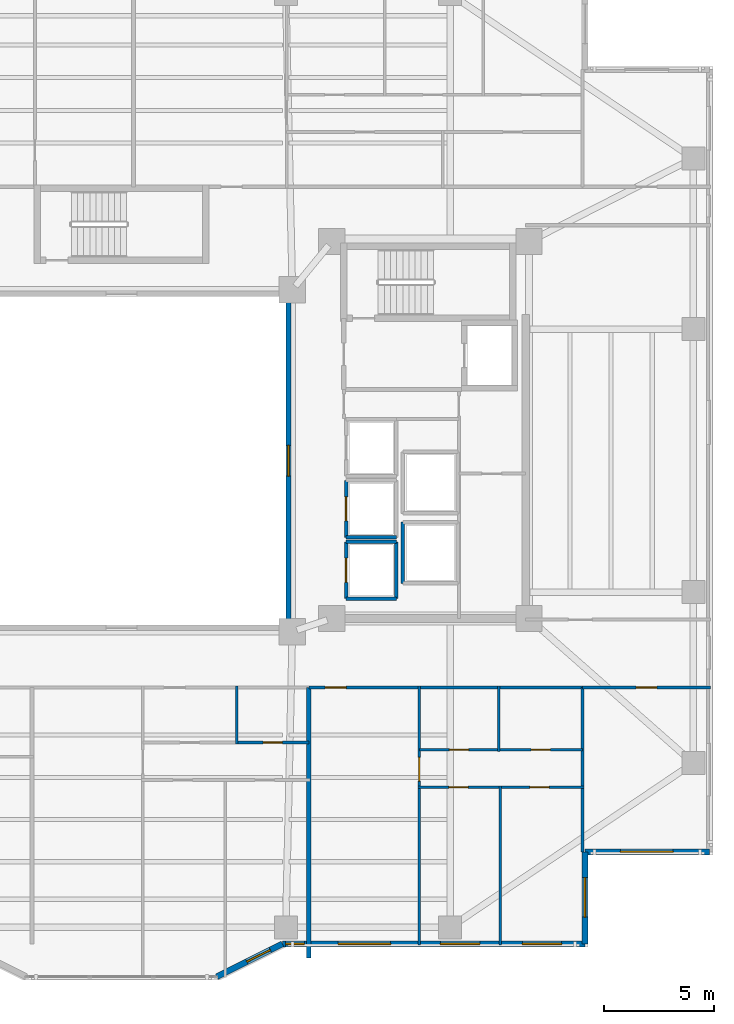
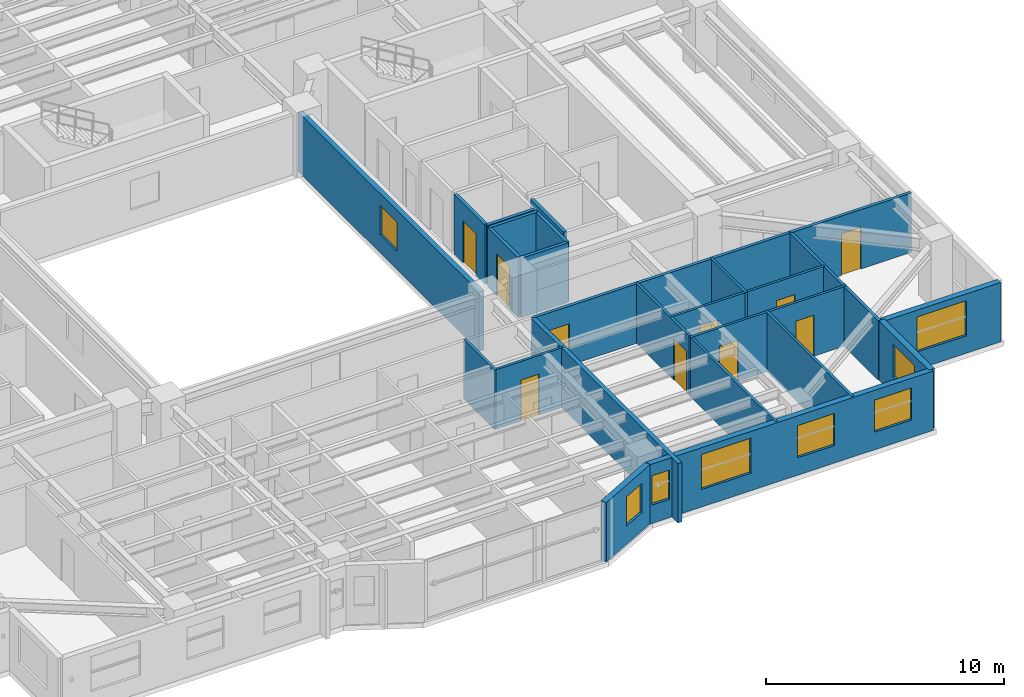
# One storey, part 8 of 18: 24 walls, 10 doors, 8 windows, 18 openings.
"""IFC4 building model written with IfcOpenShell, lengths in metres."""

from ifc_helpers import new_model, si_unit, direction, frame, frame_2d, origin, place, context, subcontext, project, spatial, rectangle, extrude, material, layer, layer_set, type_object, element, fill, save


model = new_model("IFC4")

# Units and contexts
model_context = context("Model", 3, precision=1e-05, world=origin(), true_north=direction((0.0, 1.0)))
body_context = subcontext(model_context, "Body", "Model", "MODEL_VIEW")
ifc_project = project(units=[si_unit("LENGTHUNIT", "METRE"), si_unit("AREAUNIT", "SQUARE_METRE"), si_unit("VOLUMEUNIT", "CUBIC_METRE"), si_unit("PLANEANGLEUNIT", "RADIAN"), si_unit("MASSUNIT", "GRAM", prefix="KILO")], contexts=[model_context])

# Site, building, storey
site_placement = place(None, origin())
site = spatial("IfcSite", under=ifc_project, at=site_placement, CompositionType="ELEMENT")
building_placement = place(site_placement, origin())
building = spatial("IfcBuilding", under=site, at=building_placement, Name="Tarnavaz Court Tower", CompositionType="ELEMENT")
storey_placement = place(building_placement, frame((0.0, 0.0, 115.14990234375)))
storey = spatial("IfcBuildingStorey", under=building, at=storey_placement, Name="L31", CompositionType="ELEMENT", Elevation=115.14990234375)

# Wall, opening, window
ifc_material_1 = material(Name="Precast Concrete C40/50", Category="concrete")
ifc_layer_1 = layer(ifc_material_1, 0.280029296875)
ifc_layer_set_1 = layer_set([ifc_layer_1], Name="Precast Concrete C40/50")
wall_type_1 = type_object("IfcWallType", Name="WL-EXT-280", PredefinedType="SOLIDWALL", material=ifc_layer_set_1)
wall_1_placement = place(storey_placement, frame((26.85009765625, -17.85009765625, 0.0), z_axis=(0.0, 0.0, 1.0), x_axis=(-1.0, 0.0, 0.0)))
wall_1 = element("IfcWall", 1, at=wall_1_placement, inside=storey, type_object=wall_type_1, Name="L31 Exterior Terracotta Facade Wall 13", PredefinedType="SOLIDWALL", context=body_context, shape_type="SweptSolid", body=[
    extrude(rectangle(XDim=5.7001953125, YDim=0.280029296875, at=frame_2d((2.85009765625, 0.0))), origin(), (0.0, 0.0, 1.0), 3.050048828125),
])
opening_1_placement = place(wall_1_placement, frame((1.675048828125, 0.0, 0.89990234375)))
opening_1 = element("IfcOpeningElement", 2, at=opening_1_placement, cuts=wall_1, Name="Opening W06", PredefinedType="OPENING", context=body_context, shape_type="SweptSolid", body=[
    extrude(rectangle(XDim=2.39990234375, YDim=1.800048828125, at=frame_2d((1.199951171875, 0.89990234375))), frame((0.0, 0.14990234375, 0.0), z_axis=(0.0, -1.0, 0.0), x_axis=(1.0, 0.0, 0.0)), (0.0, 0.0, 1.0), 0.300048828125),
])
ifc_material_2 = material(Name="Double-Glazed Solar Low-E Glass", Category="glass")
window_type_1 = type_object("IfcWindowType", Name="WN-APT-2400", PartitioningType="TRIPLE_PANEL_VERTICAL", PredefinedType="WINDOW", material=ifc_material_2)
window_1_placement = place(opening_1_placement, origin())
window_1 = element("IfcWindow", 3, at=window_1_placement, inside=storey, type_object=window_type_1, Name="L31 South-East Corner Reading Room Window", OverallHeight=1.800048828125, OverallWidth=2.39990234375, PartitioningType="SINGLE_PANEL", PredefinedType="WINDOW", context=body_context, shape_type="SweptSolid", body=[
    extrude(rectangle(XDim=2.39990234375, YDim=1.800048828125, at=frame_2d((1.199951171875, 0.89990234375))), frame((0.0, 0.030029296875, 0.0), z_axis=(0.0, -1.0, 0.0), x_axis=(1.0, 0.0, 0.0)), (0.0, 0.0, 1.0), 0.06005859375),
])
fill(opening_1, window_1)

wall_2_placement = place(storey_placement, frame((21.14990234375, -17.85009765625, 0.0), z_axis=(0.0, 0.0, 1.0), x_axis=(0.0, -1.0, 0.0)))
wall_2 = element("IfcWall", 4, at=wall_2_placement, inside=storey, type_object=wall_type_1, Name="L31 Exterior Terracotta Facade Wall 14", PredefinedType="SOLIDWALL", context=body_context, shape_type="SweptSolid", body=[
    extrude(rectangle(XDim=4.199951171875, YDim=0.280029296875, at=frame_2d((2.10009765625, 0.0))), origin(), (0.0, 0.0, 1.0), 3.050048828125),
])
opening_2_placement = place(wall_2_placement, frame((1.18212890625, 0.0, 0.89990234375)))
opening_2 = element("IfcOpeningElement", 5, at=opening_2_placement, cuts=wall_2, Name="Opening W01", PredefinedType="OPENING", context=body_context, shape_type="SweptSolid", body=[
    extrude(rectangle(XDim=1.800048828125, YDim=1.64990234375, at=frame_2d((0.89990234375, 0.824951171875))), frame((0.0, 0.14990234375, 0.0), z_axis=(0.0, -1.0, 0.0), x_axis=(1.0, 0.0, 0.0)), (0.0, 0.0, 1.0), 0.300048828125),
])
window_type_2 = type_object("IfcWindowType", Name="WN-APT-1800", PartitioningType="DOUBLE_PANEL_VERTICAL", PredefinedType="WINDOW", material=ifc_material_2)
window_2_placement = place(opening_2_placement, origin())
window_2 = element("IfcWindow", 6, at=window_2_placement, inside=storey, type_object=window_type_2, Name="L31 Flat 03 Bedroom 2 Window", OverallHeight=1.64990234375, OverallWidth=1.800048828125, PartitioningType="SINGLE_PANEL", PredefinedType="WINDOW", context=body_context, shape_type="SweptSolid", body=[
    extrude(rectangle(XDim=1.800048828125, YDim=1.64990234375, at=frame_2d((0.89990234375, 0.824951171875))), frame((0.0, 0.030029296875, 0.0), z_axis=(0.0, -1.0, 0.0), x_axis=(1.0, 0.0, 0.0)), (0.0, 0.0, 1.0), 0.06005859375),
])
fill(opening_2, window_2)

# Wall, openings, windows
wall_3_placement = place(storey_placement, frame((21.14990234375, -22.050048828125, 0.0), z_axis=(0.0, 0.0, 1.0), x_axis=(-1.0, 0.0, 0.0)))
wall_3 = element("IfcWall", 7, at=wall_3_placement, inside=storey, type_object=wall_type_1, Name="L31 Exterior Terracotta Facade Wall 15", PredefinedType="SOLIDWALL", context=body_context, shape_type="SweptSolid", body=[
    extrude(rectangle(XDim=13.7998046875, YDim=0.280029296875, at=frame_2d((6.89990234375, 0.0))), origin(), (0.0, 0.0, 1.0), 3.050048828125),
])
opening_3_placement = place(wall_3_placement, frame((1.05712890625, 0.0, 0.89990234375)))
opening_3 = element("IfcOpeningElement", 8, at=opening_3_placement, cuts=wall_3, Name="Opening W01", PredefinedType="OPENING", context=body_context, shape_type="SweptSolid", body=[
    extrude(rectangle(XDim=1.800048828125, YDim=1.64990234375, at=frame_2d((0.89990234375, 0.824951171875))), frame((0.0, 0.14990234375, 0.0), z_axis=(0.0, -1.0, 0.0), x_axis=(1.0, 0.0, 0.0)), (0.0, 0.0, 1.0), 0.300048828125),
])
opening_4_placement = place(wall_3_placement, frame((4.795654296875, 0.0, 0.89990234375)))
opening_4 = element("IfcOpeningElement", 9, at=opening_4_placement, cuts=wall_3, Name="Opening W01", PredefinedType="OPENING", context=body_context, shape_type="SweptSolid", body=[
    extrude(rectangle(XDim=1.800048828125, YDim=1.64990234375, at=frame_2d((0.89990234375, 0.824951171875))), frame((0.0, 0.14990234375, 0.0), z_axis=(0.0, -1.0, 0.0), x_axis=(1.0, 0.0, 0.0)), (0.0, 0.0, 1.0), 0.300048828125),
])
opening_5_placement = place(wall_3_placement, frame((8.861572265625, 0.0, 0.89990234375)))
opening_5 = element("IfcOpeningElement", 10, at=opening_5_placement, cuts=wall_3, Name="Opening W06", PredefinedType="OPENING", context=body_context, shape_type="SweptSolid", body=[
    extrude(rectangle(XDim=2.39990234375, YDim=1.800048828125, at=frame_2d((1.199951171875, 0.89990234375))), frame((0.0, 0.14990234375, 0.0), z_axis=(0.0, -1.0, 0.0), x_axis=(1.0, 0.0, 0.0)), (0.0, 0.0, 1.0), 0.300048828125),
])
opening_6_placement = place(wall_3_placement, frame((12.802978515625, 0.0, 0.949951171875)))
opening_6 = element("IfcOpeningElement", 11, at=opening_6_placement, cuts=wall_3, Name="Opening W15", PredefinedType="OPENING", context=body_context, shape_type="SweptSolid", body=[
    extrude(rectangle(XDim=0.85009765625, YDim=1.5, at=frame_2d((0.425048828125, 0.75))), frame((0.0, 0.14990234375, 0.0), z_axis=(0.0, -1.0, 0.0), x_axis=(1.0, 0.0, 0.0)), (0.0, 0.0, 1.0), 0.300048828125),
])
window_3_placement = place(opening_3_placement, origin())
window_3 = element("IfcWindow", 12, at=window_3_placement, inside=storey, type_object=window_type_2, Name="L31 Flat 03 Bedroom 2 Window", OverallHeight=1.64990234375, OverallWidth=1.800048828125, PartitioningType="SINGLE_PANEL", PredefinedType="WINDOW", context=body_context, shape_type="SweptSolid", body=[
    extrude(rectangle(XDim=1.800048828125, YDim=1.64990234375, at=frame_2d((0.89990234375, 0.824951171875))), frame((0.0, 0.030029296875, 0.0), z_axis=(0.0, -1.0, 0.0), x_axis=(1.0, 0.0, 0.0)), (0.0, 0.0, 1.0), 0.06005859375),
])
fill(opening_3, window_3)
window_4_placement = place(opening_4_placement, origin())
window_4 = element("IfcWindow", 13, at=window_4_placement, inside=storey, type_object=window_type_2, Name="L31 Flat 03 Principal Bedroom Window", OverallHeight=1.64990234375, OverallWidth=1.800048828125, PartitioningType="SINGLE_PANEL", PredefinedType="WINDOW", context=body_context, shape_type="SweptSolid", body=[
    extrude(rectangle(XDim=1.800048828125, YDim=1.64990234375, at=frame_2d((0.89990234375, 0.824951171875))), frame((0.0, 0.030029296875, 0.0), z_axis=(0.0, -1.0, 0.0), x_axis=(1.0, 0.0, 0.0)), (0.0, 0.0, 1.0), 0.06005859375),
])
fill(opening_4, window_4)
window_5_placement = place(opening_5_placement, origin())
window_5 = element("IfcWindow", 14, at=window_5_placement, inside=storey, type_object=window_type_1, Name="L31 Flat 03 Living and Dining Room Window", OverallHeight=1.800048828125, OverallWidth=2.39990234375, PartitioningType="SINGLE_PANEL", PredefinedType="WINDOW", context=body_context, shape_type="SweptSolid", body=[
    extrude(rectangle(XDim=2.39990234375, YDim=1.800048828125, at=frame_2d((1.199951171875, 0.89990234375))), frame((0.0, 0.030029296875, 0.0), z_axis=(0.0, -1.0, 0.0), x_axis=(1.0, 0.0, 0.0)), (0.0, 0.0, 1.0), 0.06005859375),
])
fill(opening_5, window_5)
window_type_3 = type_object("IfcWindowType", Name="WN-APT-850", PartitioningType="SINGLE_PANEL", PredefinedType="WINDOW", material=ifc_material_2)
window_6_placement = place(opening_6_placement, origin())
window_6 = element("IfcWindow", 15, at=window_6_placement, inside=storey, type_object=window_type_3, Name="L31 Flat 05 Bedroom 2 Window", OverallHeight=1.5, OverallWidth=0.85009765625, PartitioningType="SINGLE_PANEL", PredefinedType="WINDOW", context=body_context, shape_type="SweptSolid", body=[
    extrude(rectangle(XDim=0.85009765625, YDim=1.5, at=frame_2d((0.425048828125, 0.75))), frame((0.0, 0.030029296875, 0.0), z_axis=(0.0, -1.0, 0.0), x_axis=(1.0, 0.0, 0.0)), (0.0, 0.0, 1.0), 0.06005859375),
])
fill(opening_6, window_6)

# Wall, opening, window
wall_4_placement = place(storey_placement, frame((7.35009765625, -22.050048828125, 0.0), z_axis=(0.0, 0.0, 1.0), x_axis=(-0.894427191, -0.4472135955, 0.0)))
wall_4 = element("IfcWall", 16, at=wall_4_placement, inside=storey, type_object=wall_type_1, Name="L31 Exterior Terracotta Facade Wall 16", PredefinedType="SOLIDWALL", context=body_context, shape_type="SweptSolid", body=[
    extrude(rectangle(XDim=3.35400390625, YDim=0.280029296875, at=frame_2d((1.677001953125, 0.0))), origin(), (0.0, 0.0, 1.0), 3.050048828125),
])
opening_7_placement = place(wall_4_placement, frame((0.62158203125, 0.0, 0.949951171875)))
opening_7 = element("IfcOpeningElement", 17, at=opening_7_placement, cuts=wall_4, Name="Opening W05", PredefinedType="OPENING", context=body_context, shape_type="SweptSolid", body=[
    extrude(rectangle(XDim=1.199951171875, YDim=1.5, at=frame_2d((0.60009765625, 0.75))), frame((0.0, 0.14990234375, 0.0), z_axis=(0.0, -1.0, 0.0), x_axis=(1.0, 0.0, 0.0)), (0.0, 0.0, 1.0), 0.300048828125),
])
window_type_4 = type_object("IfcWindowType", Name="WN-APT-1200", PartitioningType="SINGLE_PANEL", PredefinedType="WINDOW", material=ifc_material_2)
window_7_placement = place(opening_7_placement, origin())
window_7 = element("IfcWindow", 18, at=window_7_placement, inside=storey, type_object=window_type_4, Name="L31 Flat 05 Bedroom 2 Window", OverallHeight=1.5, OverallWidth=1.199951171875, PartitioningType="SINGLE_PANEL", PredefinedType="WINDOW", context=body_context, shape_type="SweptSolid", body=[
    extrude(rectangle(XDim=1.199951171875, YDim=1.5, at=frame_2d((0.60009765625, 0.75))), frame((0.0, 0.030029296875, 0.0), z_axis=(0.0, -1.0, 0.0), x_axis=(1.0, 0.0, 0.0)), (0.0, 0.0, 1.0), 0.06005859375),
])
fill(opening_7, window_7)

# Wall, opening, door
ifc_material_3 = material(Name="Gypsum Fire-Board on Acoustic Metal Stud", Category="masonry")
ifc_layer_2 = layer(ifc_material_3, 0.14990234375)
ifc_layer_set_2 = layer_set([ifc_layer_2], Name="Gypsum Fire-Board on Acoustic Metal Stud")
wall_type_2 = type_object("IfcWallType", Name="WL-FIRE-150", PredefinedType="PARTITIONING", material=ifc_layer_set_2)
wall_5_placement = place(storey_placement, frame((8.550048828125, -10.35009765625, 0.0), z_axis=(0.0, 0.0, 1.0), x_axis=(1.0, 0.0, 0.0)))
wall_5 = element("IfcWall", 19, at=wall_5_placement, inside=storey, type_object=wall_type_2, Name="L31 SE Horseshoe Wall 075", PredefinedType="PARTITIONING", context=body_context, shape_type="SweptSolid", body=[
    extrude(rectangle(XDim=12.5, YDim=0.14990234375, at=frame_2d((6.25, 0.0))), origin(), (0.0, 0.0, 1.0), 3.050048828125),
])
opening_8_placement = place(wall_5_placement, frame((0.75, 0.0, 0.0)))
opening_8 = element("IfcOpeningElement", 20, at=opening_8_placement, cuts=wall_5, Name="Opening D06", PredefinedType="OPENING", context=body_context, shape_type="SweptSolid", body=[
    extrude(rectangle(XDim=0.9599609375, YDim=2.14990234375, at=frame_2d((0.47998046875, 1.074951171875))), frame((0.0, 0.0849609375, 0.0), z_axis=(0.0, -1.0, 0.0), x_axis=(1.0, 0.0, 0.0)), (0.0, 0.0, 1.0), 0.169921875),
])
ifc_material_4 = material(Name="Fire-Rated Hardwood Timber Core", Category="wood")
door_type_1 = type_object("IfcDoorType", Name="DR-FD60-950", OperationType="NOTDEFINED", PredefinedType="DOOR", material=ifc_material_4)
door_1_placement = place(opening_8_placement, origin())
door_1 = element("IfcDoor", 21, at=door_1_placement, inside=storey, type_object=door_type_1, Name="L31 Flat 03 Entrance Door", OperationType="SINGLE_SWING_LEFT", OverallHeight=2.14990234375, OverallWidth=0.9599609375, PredefinedType="DOOR", context=body_context, shape_type="SweptSolid", body=[
    extrude(rectangle(XDim=0.9599609375, YDim=2.14990234375, at=frame_2d((0.47998046875, 1.074951171875))), frame((0.0, 0.02490234375, 0.0), z_axis=(0.0, -1.0, 0.0), x_axis=(1.0, 0.0, 0.0)), (0.0, 0.0, 1.0), 0.050048828125),
])
fill(opening_8, door_1)

wall_6_placement = place(storey_placement, frame((21.050048828125, -10.35009765625, 0.0), z_axis=(0.0, 0.0, 1.0), x_axis=(1.0, 0.0, 0.0)))
wall_6 = element("IfcWall", 22, at=wall_6_placement, inside=storey, type_object=wall_type_2, Name="L31 Interior Partition 123", PredefinedType="PARTITIONING", context=body_context, shape_type="SweptSolid", body=[
    extrude(rectangle(XDim=5.829833984375, YDim=0.14990234375, at=frame_2d((2.9150390625, 0.0))), origin(), (0.0, 0.0, 1.0), 3.050048828125),
])
opening_9_placement = place(wall_6_placement, frame((2.43994140625, 0.0, 0.0)))
opening_9 = element("IfcOpeningElement", 23, at=opening_9_placement, cuts=wall_6, Name="Opening D13", PredefinedType="OPENING", context=body_context, shape_type="SweptSolid", body=[
    extrude(rectangle(XDim=0.949951171875, YDim=2.14990234375, at=frame_2d((0.47509765625, 1.074951171875))), frame((0.0, 0.0849609375, 0.0), z_axis=(0.0, -1.0, 0.0), x_axis=(1.0, 0.0, 0.0)), (0.0, 0.0, 1.0), 0.169921875),
])
ifc_material_5 = material(Name="Engineered Oak Timber", Category="wood")
door_type_2 = type_object("IfcDoorType", Name="DR-INT-950", OperationType="NOTDEFINED", PredefinedType="DOOR", material=ifc_material_5)
door_2_placement = place(opening_9_placement, origin())
door_2 = element("IfcDoor", 24, at=door_2_placement, inside=storey, type_object=door_type_2, Name="L31 SE Reading Room Door", OperationType="SINGLE_SWING_LEFT", OverallHeight=2.14990234375, OverallWidth=0.949951171875, PredefinedType="DOOR", context=body_context, shape_type="SweptSolid", body=[
    extrude(rectangle(XDim=0.949951171875, YDim=2.14990234375, at=frame_2d((0.47509765625, 1.074951171875))), frame((0.0, 0.02490234375, 0.0), z_axis=(0.0, -1.0, 0.0), x_axis=(1.0, 0.0, 0.0)), (0.0, 0.0, 1.0), 0.050048828125),
])
fill(opening_9, door_2)

# Wall
ifc_material_6 = material(Name="Autoclaved Aerated Concrete Blockwork", Category="masonry")
ifc_layer_3 = layer(ifc_material_6, 0.199951171875)
ifc_layer_set_3 = layer_set([ifc_layer_3], Name="Autoclaved Aerated Concrete Blockwork")
wall_type_3 = type_object("IfcWallType", Name="WL-FIRE-200", PredefinedType="SOLIDWALL", material=ifc_layer_set_3)
wall_7_placement = place(storey_placement, frame((8.550048828125, -22.7041015625, 0.0), z_axis=(0.0, 0.0, 1.0), x_axis=(0.0, 1.0, 0.0)))
element("IfcWall", 25, at=wall_7_placement, inside=storey, type_object=wall_type_3, Name="L31 Party Wall 100", PredefinedType="SOLIDWALL", context=body_context, shape_type="SweptSolid", body=[
    extrude(rectangle(XDim=12.35400390625, YDim=0.199951171875, at=frame_2d((6.177001953125, 0.0))), origin(), (0.0, 0.0, 1.0), 3.050048828125),
])

# Wall, opening, door
ifc_material_7 = material(Name="Moisture-Resistant Gypsum Board Partition", Category="masonry")
ifc_layer_4 = layer(ifc_material_7, 0.1201171875)
ifc_layer_set_4 = layer_set([ifc_layer_4], Name="Moisture-Resistant Gypsum Board Partition")
wall_type_4 = type_object("IfcWallType", Name="WL-PART-120", PredefinedType="PARTITIONING", material=ifc_layer_set_4)
wall_8_placement = place(storey_placement, frame((13.592041015625, -22.10009765625, 0.0), z_axis=(0.0, 0.0, 1.0), x_axis=(0.0, 1.0, 0.0)))
wall_8 = element("IfcWall", 26, at=wall_8_placement, inside=storey, type_object=wall_type_4, Name="L31 Interior Partition 093", PredefinedType="PARTITIONING", context=body_context, shape_type="SweptSolid", body=[
    extrude(rectangle(XDim=11.81005859375, YDim=0.1201171875, at=frame_2d((5.905029296875, 0.0))), origin(), (0.0, 0.0, 1.0), 3.050048828125),
])
opening_10_placement = place(wall_8_placement, frame((7.47509765625, 0.0, 0.0)))
opening_10 = element("IfcOpeningElement", 27, at=opening_10_placement, cuts=wall_8, Name="Opening D12", PredefinedType="OPENING", context=body_context, shape_type="SweptSolid", body=[
    extrude(rectangle(XDim=1.080078125, YDim=2.14990234375, at=frame_2d((0.5400390625, 1.074951171875))), frame((0.0, 0.070068359375, 0.0), z_axis=(0.0, -1.0, 0.0), x_axis=(1.0, 0.0, 0.0)), (0.0, 0.0, 1.0), 0.14013671875),
])
door_type_3 = type_object("IfcDoorType", Name="DR-INT-1100", OperationType="NOTDEFINED", PredefinedType="DOOR", material=ifc_material_5)
door_3_placement = place(opening_10_placement, origin())
door_3 = element("IfcDoor", 28, at=door_3_placement, inside=storey, type_object=door_type_3, Name="L31 Flat 03 Foyer Door", OperationType="SINGLE_SWING_RIGHT", OverallHeight=2.14990234375, OverallWidth=1.080078125, PredefinedType="DOOR", context=body_context, shape_type="SweptSolid", body=[
    extrude(rectangle(XDim=1.080078125, YDim=2.14990234375, at=frame_2d((0.5400390625, 1.074951171875))), frame((0.0, 0.02490234375, 0.0), z_axis=(0.0, -1.0, 0.0), x_axis=(1.0, 0.0, 0.0)), (0.0, 0.0, 1.0), 0.050048828125),
])
fill(opening_10, door_3)

wall_9_placement = place(storey_placement, frame((13.592041015625, -13.199951171875, 0.0), z_axis=(0.0, 0.0, 1.0), x_axis=(1.0, 0.0, 0.0)))
wall_9 = element("IfcWall", 29, at=wall_9_placement, inside=storey, type_object=wall_type_4, Name="L31 Interior Partition 094", PredefinedType="PARTITIONING", context=body_context, shape_type="SweptSolid", body=[
    extrude(rectangle(XDim=3.625, YDim=0.1201171875, at=frame_2d((1.8125, 0.0))), origin(), (0.0, 0.0, 1.0), 3.050048828125),
])
opening_11_placement = place(wall_9_placement, frame((1.3720703125, 0.0, 0.0)))
opening_11 = element("IfcOpeningElement", 30, at=opening_11_placement, cuts=wall_9, Name="Opening D14", PredefinedType="OPENING", context=body_context, shape_type="SweptSolid", body=[
    extrude(rectangle(XDim=0.8798828125, YDim=2.10009765625, at=frame_2d((0.43994140625, 1.050048828125))), frame((0.0, 0.070068359375, 0.0), z_axis=(0.0, -1.0, 0.0), x_axis=(1.0, 0.0, 0.0)), (0.0, 0.0, 1.0), 0.14013671875),
])
door_type_4 = type_object("IfcDoorType", Name="DR-INT-900", OperationType="NOTDEFINED", PredefinedType="DOOR", material=ifc_material_5)
door_4_placement = place(opening_11_placement, origin())
door_4 = element("IfcDoor", 31, at=door_4_placement, inside=storey, type_object=door_type_4, Name="L31 Flat 03 Kitchen Door", OperationType="SINGLE_SWING_LEFT", OverallHeight=2.10009765625, OverallWidth=0.8798828125, PredefinedType="DOOR", context=body_context, shape_type="SweptSolid", body=[
    extrude(rectangle(XDim=0.8798828125, YDim=2.10009765625, at=frame_2d((0.43994140625, 1.050048828125))), frame((0.0, 0.02490234375, 0.0), z_axis=(0.0, -1.0, 0.0), x_axis=(1.0, 0.0, 0.0)), (0.0, 0.0, 1.0), 0.050048828125),
])
fill(opening_11, door_4)

wall_10_placement = place(storey_placement, frame((17.217041015625, -13.199951171875, 0.0), z_axis=(0.0, 0.0, 1.0), x_axis=(1.0, 0.0, 0.0)))
wall_10 = element("IfcWall", 32, at=wall_10_placement, inside=storey, type_object=wall_type_4, Name="L31 Interior Partition 095", PredefinedType="PARTITIONING", context=body_context, shape_type="SweptSolid", body=[
    extrude(rectangle(XDim=3.8330078125, YDim=0.1201171875, at=frame_2d((1.91650390625, 0.0))), origin(), (0.0, 0.0, 1.0), 3.050048828125),
])
opening_12_placement = place(wall_10_placement, frame((1.47705078125, 0.0, 0.0)))
opening_12 = element("IfcOpeningElement", 33, at=opening_12_placement, cuts=wall_10, Name="Opening D14", PredefinedType="OPENING", context=body_context, shape_type="SweptSolid", body=[
    extrude(rectangle(XDim=0.8798828125, YDim=2.10009765625, at=frame_2d((0.43994140625, 1.050048828125))), frame((0.0, 0.070068359375, 0.0), z_axis=(0.0, -1.0, 0.0), x_axis=(1.0, 0.0, 0.0)), (0.0, 0.0, 1.0), 0.14013671875),
])
door_5_placement = place(opening_12_placement, origin())
door_5 = element("IfcDoor", 34, at=door_5_placement, inside=storey, type_object=door_type_4, Name="L31 Flat 03 Bathroom Door", OperationType="SINGLE_SWING_RIGHT", OverallHeight=2.10009765625, OverallWidth=0.8798828125, PredefinedType="DOOR", context=body_context, shape_type="SweptSolid", body=[
    extrude(rectangle(XDim=0.8798828125, YDim=2.10009765625, at=frame_2d((0.43994140625, 1.050048828125))), frame((0.0, 0.02490234375, 0.0), z_axis=(0.0, -1.0, 0.0), x_axis=(1.0, 0.0, 0.0)), (0.0, 0.0, 1.0), 0.050048828125),
])
fill(opening_12, door_5)

# Wall, openings, doors
wall_11_placement = place(storey_placement, frame((13.531982421875, -14.909912109375, 0.0), z_axis=(0.0, 0.0, 1.0), x_axis=(1.0, 0.0, 0.0)))
wall_11 = element("IfcWall", 35, at=wall_11_placement, inside=storey, type_object=wall_type_4, Name="L31 Interior Partition 096", PredefinedType="PARTITIONING", context=body_context, shape_type="SweptSolid", body=[
    extrude(rectangle(XDim=7.578125, YDim=0.1201171875, at=frame_2d((3.7890625, 0.0))), origin(), (0.0, 0.0, 1.0), 3.050048828125),
])
opening_13_placement = place(wall_11_placement, frame((1.409912109375, 0.0, 0.0)))
opening_13 = element("IfcOpeningElement", 36, at=opening_13_placement, cuts=wall_11, Name="Opening D14", PredefinedType="OPENING", context=body_context, shape_type="SweptSolid", body=[
    extrude(rectangle(XDim=0.8798828125, YDim=2.10009765625, at=frame_2d((0.43994140625, 1.050048828125))), frame((0.0, 0.070068359375, 0.0), z_axis=(0.0, -1.0, 0.0), x_axis=(1.0, 0.0, 0.0)), (0.0, 0.0, 1.0), 0.14013671875),
])
opening_14_placement = place(wall_11_placement, frame((5.10888671875, 0.0, 0.0)))
opening_14 = element("IfcOpeningElement", 37, at=opening_14_placement, cuts=wall_11, Name="Opening D14", PredefinedType="OPENING", context=body_context, shape_type="SweptSolid", body=[
    extrude(rectangle(XDim=0.8798828125, YDim=2.10009765625, at=frame_2d((0.43994140625, 1.050048828125))), frame((0.0, 0.070068359375, 0.0), z_axis=(0.0, -1.0, 0.0), x_axis=(1.0, 0.0, 0.0)), (0.0, 0.0, 1.0), 0.14013671875),
])
door_6_placement = place(opening_13_placement, origin())
door_6 = element("IfcDoor", 38, at=door_6_placement, inside=storey, type_object=door_type_4, Name="L31 Flat 03 Bedroom 1 Door", OperationType="SINGLE_SWING_LEFT", OverallHeight=2.10009765625, OverallWidth=0.8798828125, PredefinedType="DOOR", context=body_context, shape_type="SweptSolid", body=[
    extrude(rectangle(XDim=0.8798828125, YDim=2.10009765625, at=frame_2d((0.43994140625, 1.050048828125))), frame((0.0, 0.02490234375, 0.0), z_axis=(0.0, -1.0, 0.0), x_axis=(1.0, 0.0, 0.0)), (0.0, 0.0, 1.0), 0.050048828125),
])
fill(opening_13, door_6)
door_7_placement = place(opening_14_placement, origin())
door_7 = element("IfcDoor", 39, at=door_7_placement, inside=storey, type_object=door_type_4, Name="L31 Flat 03 Bedroom 2 Door", OperationType="SINGLE_SWING_RIGHT", OverallHeight=2.10009765625, OverallWidth=0.8798828125, PredefinedType="DOOR", context=body_context, shape_type="SweptSolid", body=[
    extrude(rectangle(XDim=0.8798828125, YDim=2.10009765625, at=frame_2d((0.43994140625, 1.050048828125))), frame((0.0, 0.02490234375, 0.0), z_axis=(0.0, -1.0, 0.0), x_axis=(1.0, 0.0, 0.0)), (0.0, 0.0, 1.0), 0.050048828125),
])
fill(opening_14, door_7)

# Walls
wall_12_placement = place(storey_placement, frame((17.217041015625, -13.260009765625, 0.0), z_axis=(0.0, 0.0, 1.0), x_axis=(0.0, 1.0, 0.0)))
element("IfcWall", 40, at=wall_12_placement, inside=storey, type_object=wall_type_4, Name="L31 Interior Partition 097", PredefinedType="PARTITIONING", context=body_context, shape_type="SweptSolid", body=[
    extrude(rectangle(XDim=2.969970703125, YDim=0.1201171875, at=frame_2d((1.48486328125, 0.0))), origin(), (0.0, 0.0, 1.0), 3.050048828125),
])
wall_13_placement = place(storey_placement, frame((17.291015625, -22.10009765625, 0.0), z_axis=(0.0, 0.0, 1.0), x_axis=(0.0, 1.0, 0.0)))
element("IfcWall", 41, at=wall_13_placement, inside=storey, type_object=wall_type_4, Name="L31 Interior Partition 098", PredefinedType="PARTITIONING", context=body_context, shape_type="SweptSolid", body=[
    extrude(rectangle(XDim=7.25, YDim=0.1201171875, at=frame_2d((3.625, 0.0))), origin(), (0.0, 0.0, 1.0), 3.050048828125),
])

# Wall, opening, door
wall_14_placement = place(storey_placement, frame((5.2548828125, -12.860107421875, 0.0), z_axis=(0.0, 0.0, 1.0), x_axis=(1.0, 0.0, 0.0)))
wall_14 = element("IfcWall", 42, at=wall_14_placement, inside=storey, type_object=wall_type_4, Name="L31 Interior Partition 108", PredefinedType="PARTITIONING", context=body_context, shape_type="SweptSolid", body=[
    extrude(rectangle(XDim=3.295166015625, YDim=0.1201171875, at=frame_2d((1.6474609375, 0.0))), origin(), (0.0, 0.0, 1.0), 3.050048828125),
])
opening_15_placement = place(wall_14_placement, frame((1.2080078125, 0.0, 0.0)))
opening_15 = element("IfcOpeningElement", 43, at=opening_15_placement, cuts=wall_14, Name="Opening D14", PredefinedType="OPENING", context=body_context, shape_type="SweptSolid", body=[
    extrude(rectangle(XDim=0.8798828125, YDim=2.10009765625, at=frame_2d((0.43994140625, 1.050048828125))), frame((0.0, 0.070068359375, 0.0), z_axis=(0.0, -1.0, 0.0), x_axis=(1.0, 0.0, 0.0)), (0.0, 0.0, 1.0), 0.14013671875),
])
door_8_placement = place(opening_15_placement, origin())
door_8 = element("IfcDoor", 44, at=door_8_placement, inside=storey, type_object=door_type_4, Name="L31 Flat 05 Bathroom Door", OperationType="SINGLE_SWING_LEFT", OverallHeight=2.10009765625, OverallWidth=0.8798828125, PredefinedType="DOOR", context=body_context, shape_type="SweptSolid", body=[
    extrude(rectangle(XDim=0.8798828125, YDim=2.10009765625, at=frame_2d((0.43994140625, 1.050048828125))), frame((0.0, 0.02490234375, 0.0), z_axis=(0.0, -1.0, 0.0), x_axis=(1.0, 0.0, 0.0)), (0.0, 0.0, 1.0), 0.050048828125),
])
fill(opening_15, door_8)

# Walls
wall_15_placement = place(storey_placement, frame((5.2548828125, -12.919921875, 0.0), z_axis=(0.0, 0.0, 1.0), x_axis=(0.0, 1.0, 0.0)))
element("IfcWall", 45, at=wall_15_placement, inside=storey, type_object=wall_type_4, Name="L31 Interior Partition 110", PredefinedType="PARTITIONING", context=body_context, shape_type="SweptSolid", body=[
    extrude(rectangle(XDim=2.6298828125, YDim=0.1201171875, at=frame_2d((1.31494140625, 0.0))), origin(), (0.0, 0.0, 1.0), 3.050048828125),
])
ifc_material_8 = material(Name="Gypsum Plasterboard Acoustic Partition", Category="masonry")
ifc_layer_5 = layer(ifc_material_8, 0.139892578125)
ifc_layer_set_5 = layer_set([ifc_layer_5], Name="Gypsum Plasterboard Acoustic Partition")
wall_type_5 = type_object("IfcWallType", Name="WL-PART-150", PredefinedType="PARTITIONING", material=ifc_layer_set_5)
wall_16_placement = place(storey_placement, frame((21.050048828125, -17.85009765625, 0.0), z_axis=(0.0, 0.0, 1.0), x_axis=(0.0, 1.0, 0.0)))
element("IfcWall", 46, at=wall_16_placement, inside=storey, type_object=wall_type_5, Name="L31 Interior Partition 117", PredefinedType="PARTITIONING", context=body_context, shape_type="SweptSolid", body=[
    extrude(rectangle(XDim=7.5, YDim=0.139892578125, at=frame_2d((3.75, 0.0))), origin(), (0.0, 0.0, 1.0), 3.050048828125),
])

# Wall, opening, door
ifc_layer_6 = layer(ifc_material_6, 0.159912109375)
ifc_layer_set_6 = layer_set([ifc_layer_6], Name="Autoclaved Aerated Concrete Blockwork")
wall_type_6 = type_object("IfcWallType", Name="WL-SHAFT-150", PredefinedType="SOLIDWALL", material=ifc_layer_set_6)
wall_17_placement = place(storey_placement, frame((10.25, -6.300048828125, 0.0), z_axis=(0.0, 0.0, 1.0), x_axis=(0.0, 1.0, 0.0)))
wall_17 = element("IfcWall", 47, at=wall_17_placement, inside=storey, type_object=wall_type_6, Name="L31 Lift PL-M1 Shaft Wall 037", PredefinedType="SOLIDWALL", context=body_context, shape_type="SweptSolid", body=[
    extrude(rectangle(XDim=2.60009765625, YDim=0.159912109375, at=frame_2d((1.300048828125, 0.0))), origin(), (0.0, 0.0, 1.0), 3.050048828125),
])
opening_16_placement = place(wall_17_placement, frame((0.75, 0.0, 0.0)))
opening_16 = element("IfcOpeningElement", 48, at=opening_16_placement, cuts=wall_17, Name="Opening LD1", PredefinedType="OPENING", context=body_context, shape_type="SweptSolid", body=[
    extrude(rectangle(XDim=1.10009765625, YDim=2.14990234375, at=frame_2d((0.550048828125, 1.074951171875))), frame((0.0, 0.08984375, 0.0), z_axis=(0.0, -1.0, 0.0), x_axis=(1.0, 0.0, 0.0)), (0.0, 0.0, 1.0), 0.179931640625),
])
ifc_material_9 = material(Name="Stainless Steel", Category="steel")
door_type_5 = type_object("IfcDoorType", Name="DR-LD-1100", OperationType="NOTDEFINED", PredefinedType="DOOR", material=ifc_material_9)
door_9_placement = place(opening_16_placement, origin())
door_9 = element("IfcDoor", 49, at=door_9_placement, inside=storey, type_object=door_type_5, Name="L31 Lift Landing Door LD-PL-M1", OperationType="SLIDING_TO_LEFT", OverallHeight=2.14990234375, OverallWidth=1.10009765625, PredefinedType="DOOR", context=body_context, shape_type="SweptSolid", body=[
    extrude(rectangle(XDim=1.10009765625, YDim=2.14990234375, at=frame_2d((0.550048828125, 1.074951171875))), frame((0.0, 0.02490234375, 0.0), z_axis=(0.0, -1.0, 0.0), x_axis=(1.0, 0.0, 0.0)), (0.0, 0.0, 1.0), 0.050048828125),
])
fill(opening_16, door_9)

# Walls
wall_18_placement = place(storey_placement, frame((12.550048828125, -6.300048828125, 0.0), z_axis=(0.0, 0.0, 1.0), x_axis=(0.0, 1.0, 0.0)))
element("IfcWall", 50, at=wall_18_placement, inside=storey, type_object=wall_type_6, Name="L31 Lift PL-M1 Shaft Wall 038", PredefinedType="SOLIDWALL", context=body_context, shape_type="SweptSolid", body=[
    extrude(rectangle(XDim=2.60009765625, YDim=0.159912109375, at=frame_2d((1.300048828125, 0.0))), origin(), (0.0, 0.0, 1.0), 3.050048828125),
])
for number, where, z_axis, x_axis, name in (
    (51, (10.25, -6.300048828125, 0.0), (0.0, 0.0, 1.0), (1.0, 0.0, 0.0), "L31 Lift PL-M1 Shaft Wall 039"),
    (52, (10.25, -3.699951171875, 0.0), (0.0, 0.0, 1.0), (1.0, 0.0, 0.0), "L31 Lift PL-M1 Shaft Wall 040"),
):
    element("IfcWall", number, at=place(storey_placement, frame(where, z_axis=z_axis, x_axis=x_axis)), inside=storey, type_object=wall_type_6, Name=name, PredefinedType="SOLIDWALL", context=body_context, shape_type="SweptSolid", body=[
        extrude(rectangle(XDim=2.300048828125, YDim=0.159912109375, at=frame_2d((1.14990234375, 0.0))), origin(), (0.0, 0.0, 1.0), 3.050048828125),
    ])

# Wall, opening, door
wall_19_placement = place(storey_placement, frame((10.25, -3.5, 0.0), z_axis=(0.0, 0.0, 1.0), x_axis=(0.0, 1.0, 0.0)))
wall_19 = element("IfcWall", 53, at=wall_19_placement, inside=storey, type_object=wall_type_6, Name="L31 Lift PL-M2 Shaft Wall 041", PredefinedType="SOLIDWALL", context=body_context, shape_type="SweptSolid", body=[
    extrude(rectangle(XDim=2.60009765625, YDim=0.159912109375, at=frame_2d((1.300048828125, 0.0))), origin(), (0.0, 0.0, 1.0), 3.050048828125),
])
opening_17_placement = place(wall_19_placement, frame((0.75, 0.0, 0.0)))
opening_17 = element("IfcOpeningElement", 54, at=opening_17_placement, cuts=wall_19, Name="Opening LD1", PredefinedType="OPENING", context=body_context, shape_type="SweptSolid", body=[
    extrude(rectangle(XDim=1.10009765625, YDim=2.14990234375, at=frame_2d((0.550048828125, 1.074951171875))), frame((0.0, 0.08984375, 0.0), z_axis=(0.0, -1.0, 0.0), x_axis=(1.0, 0.0, 0.0)), (0.0, 0.0, 1.0), 0.179931640625),
])
door_10_placement = place(opening_17_placement, origin())
door_10 = element("IfcDoor", 55, at=door_10_placement, inside=storey, type_object=door_type_5, Name="L31 Lift Landing Door LD-PL-M2", OperationType="SLIDING_TO_LEFT", OverallHeight=2.14990234375, OverallWidth=1.10009765625, PredefinedType="DOOR", context=body_context, shape_type="SweptSolid", body=[
    extrude(rectangle(XDim=1.10009765625, YDim=2.14990234375, at=frame_2d((0.550048828125, 1.074951171875))), frame((0.0, 0.02490234375, 0.0), z_axis=(0.0, -1.0, 0.0), x_axis=(1.0, 0.0, 0.0)), (0.0, 0.0, 1.0), 0.050048828125),
])
fill(opening_17, door_10)

# Walls
wall_20_placement = place(storey_placement, frame((10.25, -3.5, 0.0), z_axis=(0.0, 0.0, 1.0), x_axis=(1.0, 0.0, 0.0)))
element("IfcWall", 56, at=wall_20_placement, inside=storey, type_object=wall_type_6, Name="L31 Lift PL-M2 Shaft Wall 043", PredefinedType="SOLIDWALL", context=body_context, shape_type="SweptSolid", body=[
    extrude(rectangle(XDim=2.300048828125, YDim=0.159912109375, at=frame_2d((1.14990234375, 0.0))), origin(), (0.0, 0.0, 1.0), 3.050048828125),
])
wall_21_placement = place(storey_placement, frame((12.85009765625, -5.60009765625, 0.0), z_axis=(0.0, 0.0, 1.0), x_axis=(0.0, 1.0, 0.0)))
element("IfcWall", 57, at=wall_21_placement, inside=storey, type_object=wall_type_6, Name="L31 Lift PL-OB1 Shaft Wall 049", PredefinedType="SOLIDWALL", context=body_context, shape_type="SweptSolid", body=[
    extrude(rectangle(XDim=2.800048828125, YDim=0.159912109375, at=frame_2d((1.39990234375, 0.0))), origin(), (0.0, 0.0, 1.0), 3.050048828125),
])

# Wall, opening, window
ifc_layer_7 = layer(ifc_material_1, 0.239990234375)
ifc_layer_set_7 = layer_set([ifc_layer_7], Name="Precast Concrete C40/50")
wall_type_7 = type_object("IfcWallType", Name="WL-WELL-240", PredefinedType="SOLIDWALL", material=ifc_layer_set_7)
wall_22_placement = place(storey_placement, frame((7.6201171875, -7.6201171875, 0.0), z_axis=(0.0, 0.0, 1.0), x_axis=(0.0, 1.0, 0.0)))
wall_22 = element("IfcWall", 58, at=wall_22_placement, inside=storey, type_object=wall_type_7, Name="L31 Badgir Light-Well Exterior Wall E", PredefinedType="SOLIDWALL", context=body_context, shape_type="SweptSolid", body=[
    extrude(rectangle(XDim=15.240234375, YDim=0.239990234375, at=frame_2d((7.6201171875, 0.0))), origin(), (0.0, 0.0, 1.0), 3.050048828125),
])
opening_18_placement = place(wall_22_placement, frame((6.919921875, 0.0, 0.949951171875)))
opening_18 = element("IfcOpeningElement", 59, at=opening_18_placement, cuts=wall_22, Name="Opening W13", PredefinedType="OPENING", context=body_context, shape_type="SweptSolid", body=[
    extrude(rectangle(XDim=1.39990234375, YDim=1.5, at=frame_2d((0.699951171875, 0.75))), frame((0.0, 0.1298828125, 0.0), z_axis=(0.0, -1.0, 0.0), x_axis=(1.0, 0.0, 0.0)), (0.0, 0.0, 1.0), 0.260009765625),
])
window_type_5 = type_object("IfcWindowType", Name="WN-WEL-1400", PartitioningType="SINGLE_PANEL", PredefinedType="WINDOW", material=ifc_material_2)
window_8_placement = place(opening_18_placement, origin())
window_8 = element("IfcWindow", 60, at=window_8_placement, inside=storey, type_object=window_type_5, Name="L31 Courtyard Gallery Window E", OverallHeight=1.5, OverallWidth=1.39990234375, PartitioningType="SINGLE_PANEL", PredefinedType="WINDOW", context=body_context, shape_type="SweptSolid", body=[
    extrude(rectangle(XDim=1.39990234375, YDim=1.5, at=frame_2d((0.699951171875, 0.75))), frame((0.0, 0.030029296875, 0.0), z_axis=(0.0, -1.0, 0.0), x_axis=(1.0, 0.0, 0.0)), (0.0, 0.0, 1.0), 0.06005859375),
])
fill(opening_18, window_8)

save(model, "model.ifc")
